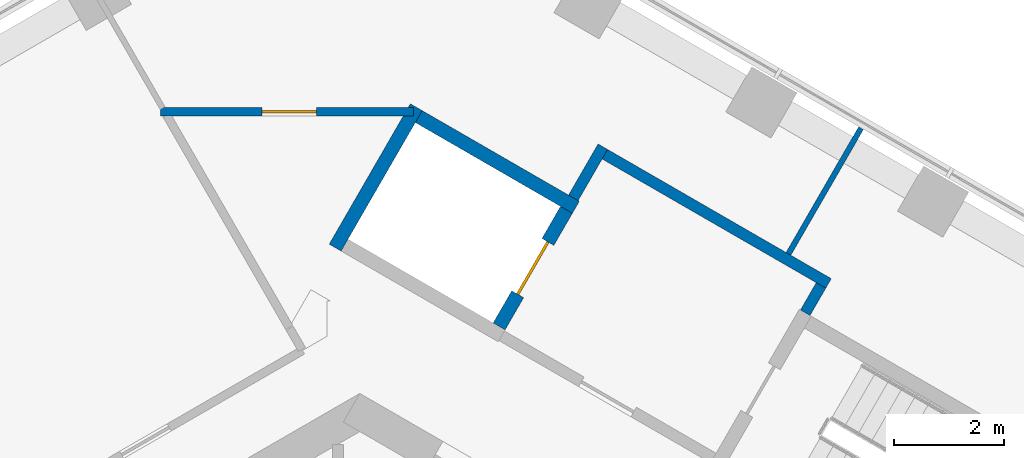
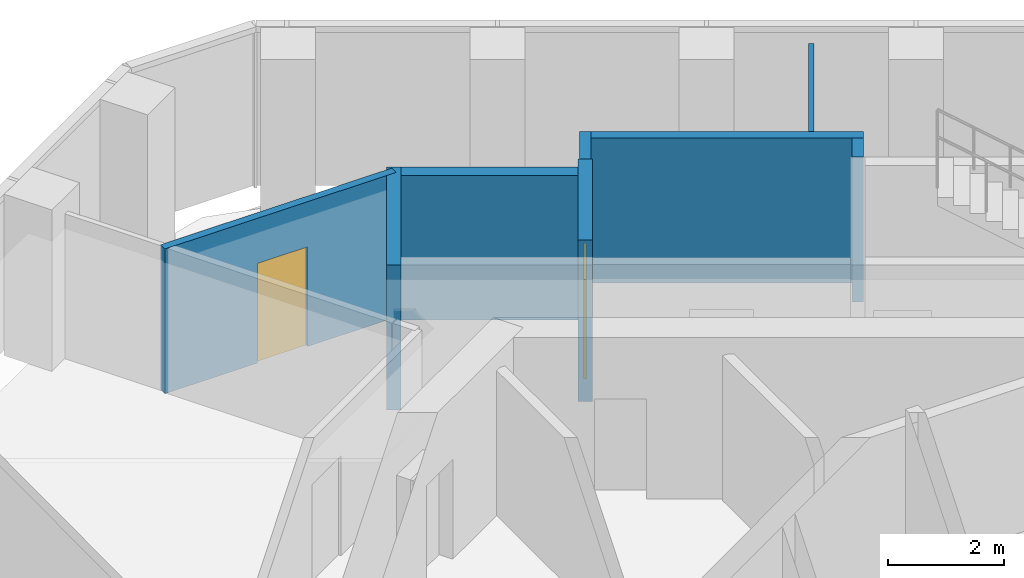
# One storey, part 16 of 18: 8 walls, 2 doors, 2 openings.
"""IFC4 building model written with IfcOpenShell, lengths in metres."""

import ifcopenshell
import ifcopenshell.guid

model = None  # the IFC model being written
_history = None  # IfcOwnerHistory: only IFC2X3 demands one
_inside = {}  # id of a spatial element -> (the spatial element, [elements in it])
_under = {}  # id of a project, library or spatial element -> (it, [spatial elements below it])
_declared = {}  # id of a project -> (the project, [libraries it declares])
_typed = {}  # id of a type object -> (the type object, [elements of that type])
_made_of = {}  # id of a material, layer set ... -> (it, [elements and type objects made of it])


def new_model(schema):
    """Start an empty IFC model of exactly this schema.

    Asked for "IFC4X3", IfcOpenShell would pick the latest addendum, in which some entities
    have other attributes; the version numbers below select the first issue.
    IFC2X3 requires an IfcOwnerHistory on every rooted entity: one is made here for all.
    """
    global model, _history
    if schema == "IFC4X3":
        model = ifcopenshell.file(schema_version=(4, 3, 0, 0))
    else:
        model = ifcopenshell.file(schema=schema)
    _inside.clear()
    _under.clear()
    _declared.clear()
    _typed.clear()
    _made_of.clear()
    _history = None
    if model.schema == "IFC2X3":
        org = make("IfcOrganization", Name="unknown")
        user = make(
            "IfcPersonAndOrganization",
            ThePerson=make("IfcPerson", FamilyName="unknown"),
            TheOrganization=org,
        )
        app = make(
            "IfcApplication",
            ApplicationDeveloper=org,
            Version="unknown",
            ApplicationFullName="unknown",
            ApplicationIdentifier="unknown",
        )
        _history = make(
            "IfcOwnerHistory",
            OwningUser=user,
            OwningApplication=app,
            ChangeAction="ADDED",
            CreationDate=0,
        )
    return model


def make(cls, **values):
    """One entity of the class cls with the attributes given. An attribute that is None is left unset."""
    return model.create_entity(
        cls, **{name: value for name, value in values.items() if value is not None}
    )


def rooted(cls, **values):
    """An entity with a GlobalId (a new one), such as an element, a storey or a relation."""
    return make(cls, GlobalId=ifcopenshell.guid.new(), OwnerHistory=_history, **values)


def si_unit(unit_type, name, prefix=None):
    """IfcSIUnit, for example si_unit("LENGTHUNIT", "METRE", prefix="MILLI")."""
    return make("IfcSIUnit", UnitType=unit_type, Prefix=prefix, Name=name)


def assignment(units):
    """IfcUnitAssignment: the units of a project."""
    return None if units is None else make("IfcUnitAssignment", Units=units)


def point(xyz):
    """IfcCartesianPoint."""
    return None if xyz is None else make("IfcCartesianPoint", Coordinates=xyz)


def direction(xyz):
    """IfcDirection."""
    return None if xyz is None else make("IfcDirection", DirectionRatios=xyz)


def frame(location, z_axis=None, x_axis=None):
    """IfcAxis2Placement3D, a coordinate frame: its origin and axes. An axis left out is left unset."""
    return make(
        "IfcAxis2Placement3D",
        Location=point(location),
        Axis=direction(z_axis),
        RefDirection=direction(x_axis),
    )


def frame_2d(location, x_axis=None):
    """IfcAxis2Placement2D, a coordinate frame in the plane: its origin and x axis."""
    return make(
        "IfcAxis2Placement2D", Location=point(location), RefDirection=direction(x_axis)
    )


def origin():
    """The frame at (0, 0, 0) with its axes left unset."""
    return frame((0.0, 0.0, 0.0))


def place(relative_to, where):
    """IfcLocalPlacement: puts the frame where relative to a parent placement (None: the world)."""
    return make(
        "IfcLocalPlacement", PlacementRelTo=relative_to, RelativePlacement=where
    )


def context(
    kind, dimensions, precision=None, world=None, true_north=None, identifier=None
):
    """IfcGeometricRepresentationContext, for example the 3D "Model" context."""
    return make(
        "IfcGeometricRepresentationContext",
        ContextIdentifier=identifier,
        ContextType=kind,
        CoordinateSpaceDimension=dimensions,
        Precision=precision,
        WorldCoordinateSystem=world,
        TrueNorth=true_north,
    )


def subcontext(parent, identifier, kind, view, scale=None):
    """IfcGeometricRepresentationSubContext, for example "Body" below "Model"."""
    return make(
        "IfcGeometricRepresentationSubContext",
        ContextIdentifier=identifier,
        ContextType=kind,
        ParentContext=parent,
        TargetScale=scale,
        TargetView=view,
    )


def project(units=None, contexts=None):
    """IfcProject with its units and contexts."""
    return rooted(
        "IfcProject",
        Name="project",
        RepresentationContexts=contexts,
        UnitsInContext=assignment(units),
    )


def spatial(cls, under=None, at=None, **own):
    """A site, building, storey or space (cls), placed at a placement, below another one or the project."""
    s = rooted(cls, ObjectPlacement=at, **own)
    if under is not None:
        _under.setdefault(under.id(), (under, []))[1].append(s)
    return s


def profile(cls, at=None, kind="AREA", **sizes):
    """A parametric profile (cls). Its sizes go by their IFC names, for example OverallWidth=200.0."""
    return make(cls, ProfileType=kind, Position=at, **sizes)


def rectangle(**sizes):
    """IfcRectangleProfileDef."""
    return profile("IfcRectangleProfileDef", **sizes)


def extrude(swept, where, along, depth):
    """IfcExtrudedAreaSolid: the profile swept, set in the frame where, extruded along a direction by depth."""
    return make(
        "IfcExtrudedAreaSolid",
        SweptArea=swept,
        Position=where,
        ExtrudedDirection=direction(along),
        Depth=depth,
    )


def shape(context_of_items, identifier, shape_type, items):
    """IfcShapeRepresentation: the items that make up one representation, for example the "Body"."""
    return make(
        "IfcShapeRepresentation",
        ContextOfItems=context_of_items,
        RepresentationIdentifier=identifier,
        RepresentationType=shape_type,
        Items=items,
    )


def material(Name=None, Category=None):
    """IfcMaterial."""
    return make("IfcMaterial", Name=Name, Category=Category)


def layer(
    of_material, thickness, ventilated=None, Name=None, Category=None, Priority=None
):
    """IfcMaterialLayer: one layer of a wall or slab, of a material (None: an air gap)."""
    return make(
        "IfcMaterialLayer",
        Material=of_material,
        LayerThickness=thickness,
        IsVentilated=ventilated,
        Name=Name,
        Category=Category,
        Priority=Priority,
    )


def layer_set(layers, Name=None):
    """IfcMaterialLayerSet."""
    return make("IfcMaterialLayerSet", MaterialLayers=layers, LayerSetName=Name)


def made_of(thing, what):
    """Note that an element or type object is made of a material, layer set ...; save() writes the relation."""
    if what is not None:
        _made_of.setdefault(what.id(), (what, []))[1].append(thing)
    return thing


def type_object(cls, material=None, **own):
    """A type object (cls), such as IfcWallType, which elements share."""
    return made_of(rooted(cls, **own), material)


def element(
    cls,
    number,
    at=None,
    inside=None,
    cuts=None,
    type_object=None,
    material=None,
    context=None,
    identifier="Body",
    shape_type=None,
    held_by="IfcProductDefinitionShape",
    body=None,
    shapes=None,
    **own,
):
    """One element of the class cls, such as IfcWall. Its Tag is "e" and its number.

    at: its placement. inside: the storey or other place that contains it. cuts: it is an
    opening in that element (IfcRelVoidsElement). A single representation is given by context,
    identifier, shape_type and body (its items); several are given by shapes. held_by: the class
    of the entity that holds the representations. save() writes the other relations.
    """
    e = rooted(cls, Tag="e%d" % number, ObjectPlacement=at, **own)
    if body is not None:
        shapes = [shape(context, identifier, shape_type, body)]
    if shapes is not None:
        e.Representation = make(held_by, Representations=shapes)
    if inside is not None:
        _inside.setdefault(inside.id(), (inside, []))[1].append(e)
    if cuts is not None:
        rooted(
            "IfcRelVoidsElement", RelatingBuildingElement=cuts, RelatedOpeningElement=e
        )
    if type_object is not None:
        _typed.setdefault(type_object.id(), (type_object, []))[1].append(e)
    return made_of(e, material)


def fill(opening, filler):
    """IfcRelFillsElement: the door or window that sits in an opening."""
    return rooted(
        "IfcRelFillsElement",
        RelatingOpeningElement=opening,
        RelatedBuildingElement=filler,
    )


def aggregate(whole, parts):
    """IfcRelAggregates: a whole, such as a stair, and the parts it consists of."""
    return rooted("IfcRelAggregates", RelatingObject=whole, RelatedObjects=parts)


def save(model, path):
    """Write the relations noted so far, then the file.

    IfcRelAggregates (storeys below a building ...), IfcRelContainedInSpatialStructure (elements
    in a storey), IfcRelDefinesByType, IfcRelAssociatesMaterial and IfcRelDeclares: one each for
    every whole, place, type object, material and project.
    """
    for whole, parts in _under.values():
        aggregate(whole, parts)
    for where, things in _inside.values():
        rooted(
            "IfcRelContainedInSpatialStructure",
            RelatedElements=things,
            RelatingStructure=where,
        )
    for kind, things in _typed.values():
        rooted("IfcRelDefinesByType", RelatedObjects=things, RelatingType=kind)
    for what, things in _made_of.values():
        rooted("IfcRelAssociatesMaterial", RelatedObjects=things, RelatingMaterial=what)
    for by, libraries in _declared.values():
        rooted("IfcRelDeclares", RelatingContext=by, RelatedDefinitions=libraries)
    model.write(path)


model = new_model("IFC4")

# Units and contexts
model_context = context("Model", 3, precision=1e-05, world=origin(), true_north=direction((0.0, 1.0)))
body_context = subcontext(model_context, "Body", "Model", "MODEL_VIEW")
ifc_project = project(units=[si_unit("LENGTHUNIT", "METRE"), si_unit("AREAUNIT", "SQUARE_METRE"), si_unit("VOLUMEUNIT", "CUBIC_METRE"), si_unit("PLANEANGLEUNIT", "RADIAN"), si_unit("MASSUNIT", "GRAM", prefix="KILO")], contexts=[model_context])

# Site, building, storey
site_placement = place(None, origin())
site = spatial("IfcSite", under=ifc_project, at=site_placement, CompositionType="ELEMENT")
building_placement = place(site_placement, origin())
building = spatial("IfcBuilding", under=site, at=building_placement, Name="Ayvan Gate Tower", CompositionType="ELEMENT")
storey_placement = place(building_placement, frame((0.0, 0.0, 176.5)))
storey = spatial("IfcBuildingStorey", under=building, at=storey_placement, Name="L47", CompositionType="ELEMENT", Elevation=176.5)

# Wall, opening, door
ifc_material_1 = material(Name="Plasterboard on steel stud", Category="steel")
ifc_layer_1 = layer(ifc_material_1, 0.14990234375)
ifc_layer_set_1 = layer_set([ifc_layer_1], Name="Plasterboard on steel stud")
wall_type_1 = type_object("IfcWallType", Name="WT-CORR-150", PredefinedType="PARTITIONING", material=ifc_layer_set_1)
wall_1_placement = place(storey_placement, frame((-3.625732421875, 16.095947265625, 0.0), z_axis=(0.0, 0.0, 1.0), x_axis=(1.0, 0.0, 0.0)))
wall_1 = element("IfcWall", 1, at=wall_1_placement, inside=storey, type_object=wall_type_1, Name="IW-L47-038", PredefinedType="PARTITIONING", context=body_context, shape_type="SweptSolid", body=[
    extrude(rectangle(XDim=4.60498046875, YDim=0.14990234375, at=frame_2d((2.302490234375, 0.0))), origin(), (0.0, 0.0, 1.0), 3.050048828125),
])
opening_1_placement = place(wall_1_placement, frame((1.842041015625, 0.0, 0.0)))
opening_1 = element("IfcOpeningElement", 2, at=opening_1_placement, cuts=wall_1, Name="Opening L47-D26", PredefinedType="OPENING", context=body_context, shape_type="SweptSolid", body=[
    extrude(rectangle(XDim=1.0, YDim=2.10009765625, at=frame_2d((0.5, 1.050048828125))), frame((0.0, 0.0849609375, 0.0), z_axis=(0.0, -1.0, 0.0), x_axis=(1.0, 0.0, 0.0)), (0.0, 0.0, 1.0), 0.169921875),
])
ifc_material_2 = material(Name="Timber door leaf", Category="wood")
door_type_1 = type_object("IfcDoorType", Name="DT-1000", OperationType="NOTDEFINED", PredefinedType="DOOR", material=ifc_material_2)
door_1_placement = place(opening_1_placement, origin())
door_1 = element("IfcDoor", 3, at=door_1_placement, inside=storey, type_object=door_type_1, Name="ID-L47-026", OperationType="SINGLE_SWING_LEFT", OverallHeight=2.10009765625, OverallWidth=1.0, PredefinedType="DOOR", context=body_context, shape_type="SweptSolid", body=[
    extrude(rectangle(XDim=1.0, YDim=2.10009765625, at=frame_2d((0.5, 1.050048828125))), frame((0.0, 0.02490234375, 0.0), z_axis=(0.0, -1.0, 0.0), x_axis=(1.0, 0.0, 0.0)), (0.0, 0.0, 1.0), 0.050048828125),
])
fill(opening_1, door_1)

# Walls
ifc_layer_2 = layer(ifc_material_1, 0.10009765625)
ifc_layer_set_2 = layer_set([ifc_layer_2], Name="Plasterboard on steel stud")
wall_type_2 = type_object("IfcWallType", Name="WT-PART-100", PredefinedType="PARTITIONING", material=ifc_layer_set_2)
wall_2_placement = place(storey_placement, frame((7.800048828125, 13.510009765625, 0.0), z_axis=(0.0, 0.0, 1.0), x_axis=(0.50000507839, 0.866022471755, 0.0)))
element("IfcWall", 4, at=wall_2_placement, inside=storey, type_object=wall_type_2, Name="IW-L47-078", PredefinedType="PARTITIONING", context=body_context, shape_type="SweptSolid", body=[
    extrude(rectangle(XDim=2.64208984375, YDim=0.10009765625, at=frame_2d((1.321044921875, 0.0))), origin(), (0.0, 0.0, 1.0), 3.050048828125),
])
ifc_layer_3 = layer(ifc_material_1, 0.199951171875)
ifc_layer_set_3 = layer_set([ifc_layer_3], Name="Plasterboard on steel stud")
wall_type_3 = type_object("IfcWallType", Name="WT-RATED-200", PredefinedType="PARTITIONING", material=ifc_layer_set_3)
wall_3_placement = place(storey_placement, frame((3.885009765625, 14.52880859375, 0.0), z_axis=(0.0, 0.0, 1.0), x_axis=(0.499997628298, 0.866026773083, 0.0)))
element("IfcWall", 5, at=wall_3_placement, inside=storey, type_object=wall_type_3, Name="IW-L47-063", PredefinedType="PARTITIONING", context=body_context, shape_type="SweptSolid", body=[
    extrude(rectangle(XDim=1.0751953125, YDim=0.199951171875, at=frame_2d((0.53759765625, 0.0))), origin(), (0.0, 0.0, 1.0), 3.050048828125),
])
wall_4_placement = place(storey_placement, frame((4.458984375, 15.323486328125, 0.0), z_axis=(0.0, 0.0, 1.0), x_axis=(0.866016039709, -0.500016218704, 0.0)))
element("IfcWall", 6, at=wall_4_placement, inside=storey, type_object=wall_type_3, Name="IW-L47-064", PredefinedType="PARTITIONING", context=body_context, shape_type="SweptSolid", body=[
    extrude(rectangle(XDim=4.699951171875, YDim=0.199951171875, at=frame_2d((2.35009765625, 0.0))), origin(), (0.0, 0.0, 1.0), 3.050048828125),
])
wall_5_placement = place(storey_placement, frame((8.392822265625, 12.936767578125, 0.0), z_axis=(0.0, 0.0, 1.0), x_axis=(-0.500065409566, -0.86598763626, 0.0)))
element("IfcWall", 7, at=wall_5_placement, inside=storey, type_object=wall_type_3, Name="IW-L47-080", PredefinedType="PARTITIONING", context=body_context, shape_type="SweptSolid", body=[
    extrude(rectangle(XDim=0.5751953125, YDim=0.199951171875, at=frame_2d((0.28759765625, 0.0))), origin(), (0.0, 0.0, 1.0), 3.050048828125),
])
ifc_material_3 = material(Name="Concrete C50/60", Category="concrete")
ifc_layer_4 = layer(ifc_material_3, 0.25)
ifc_layer_set_4 = layer_set([ifc_layer_4], Name="Concrete C50/60")
wall_type_4 = type_object("IfcWallType", Name="WT-RC-250", PredefinedType="SHEAR", material=ifc_layer_set_4)
wall_6_placement = place(storey_placement, frame((-0.447998046875, 13.624267578125, 0.0), z_axis=(0.0, 0.0, 1.0), x_axis=(0.500037662692, 0.866003658127, 0.0)))
element("IfcWall", 8, at=wall_6_placement, inside=storey, type_object=wall_type_4, Name="IW-L47-049", PredefinedType="SHEAR", context=body_context, shape_type="SweptSolid", body=[
    extrude(rectangle(XDim=2.949951171875, YDim=0.25, at=frame_2d((1.47509765625, 0.0))), origin(), (0.0, 0.0, 1.0), 3.050048828125),
])
wall_7_placement = place(storey_placement, frame((1.072998046875, 16.00830078125, 0.0), z_axis=(0.0, 0.0, 1.0), x_axis=(0.866040211805, -0.499974350878, 0.0)))
element("IfcWall", 9, at=wall_7_placement, inside=storey, type_object=wall_type_4, Name="IW-L47-051", PredefinedType="SHEAR", context=body_context, shape_type="SweptSolid", body=[
    extrude(rectangle(XDim=3.300048828125, YDim=0.25, at=frame_2d((1.64990234375, 0.0))), origin(), (0.0, 0.0, 1.0), 3.050048828125),
])

# Wall, opening, door
wall_8_placement = place(storey_placement, frame((2.534912109375, 12.19091796875, 0.0), z_axis=(0.0, 0.0, 1.0), x_axis=(0.500061746146, 0.865989751695, 0.0)))
wall_8 = element("IfcWall", 10, at=wall_8_placement, inside=storey, type_object=wall_type_4, Name="IW-L47-057", PredefinedType="SHEAR", context=body_context, shape_type="SweptSolid", body=[
    extrude(rectangle(XDim=2.449951171875, YDim=0.25, at=frame_2d((1.22509765625, 0.0))), origin(), (0.0, 0.0, 1.0), 3.39990234375),
])
opening_2_placement = place(wall_8_placement, frame((0.675048828125, 0.0, 0.0)))
opening_2 = element("IfcOpeningElement", 11, at=opening_2_placement, cuts=wall_8, Name="Opening L47-LD-FF1", PredefinedType="OPENING", context=body_context, shape_type="SweptSolid", body=[
    extrude(rectangle(XDim=1.10009765625, YDim=2.10009765625, at=frame_2d((0.550048828125, 1.050048828125))), frame((0.0, 0.135009765625, 0.0), z_axis=(0.0, -1.0, 0.0), x_axis=(1.0, 0.0, 0.0)), (0.0, 0.0, 1.0), 0.27001953125),
])
ifc_material_4 = material(Name="Stainless steel landing door", Category="steel")
door_type_2 = type_object("IfcDoorType", Name="DT-LANDING-1100", OperationType="SLIDING_TO_LEFT", PredefinedType="DOOR", material=ifc_material_4)
door_2_placement = place(opening_2_placement, origin())
door_2 = element("IfcDoor", 12, at=door_2_placement, inside=storey, type_object=door_type_2, Name="ID-L47-014", OperationType="SLIDING_TO_LEFT", OverallHeight=2.10009765625, OverallWidth=1.10009765625, PredefinedType="DOOR", context=body_context, shape_type="SweptSolid", body=[
    extrude(rectangle(XDim=1.10009765625, YDim=2.10009765625, at=frame_2d((0.550048828125, 1.050048828125))), frame((0.0, 0.02490234375, 0.0), z_axis=(0.0, -1.0, 0.0), x_axis=(1.0, 0.0, 0.0)), (0.0, 0.0, 1.0), 0.050048828125),
])
fill(opening_2, door_2)

save(model, "model.ifc")
